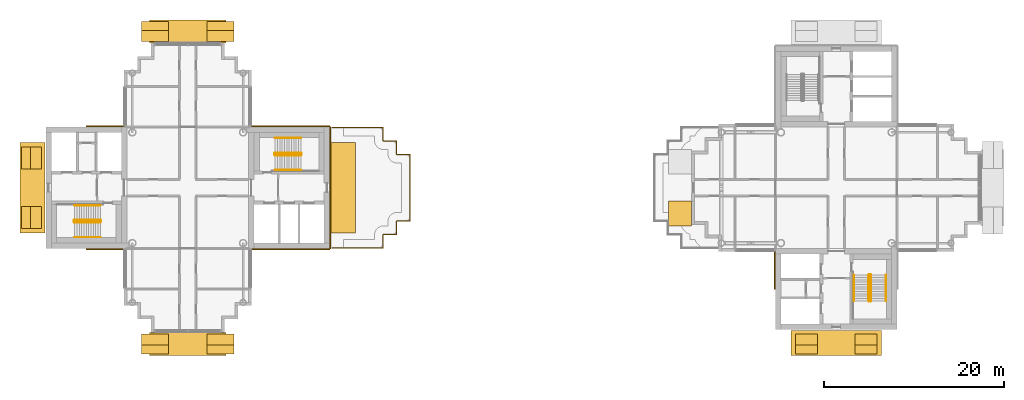
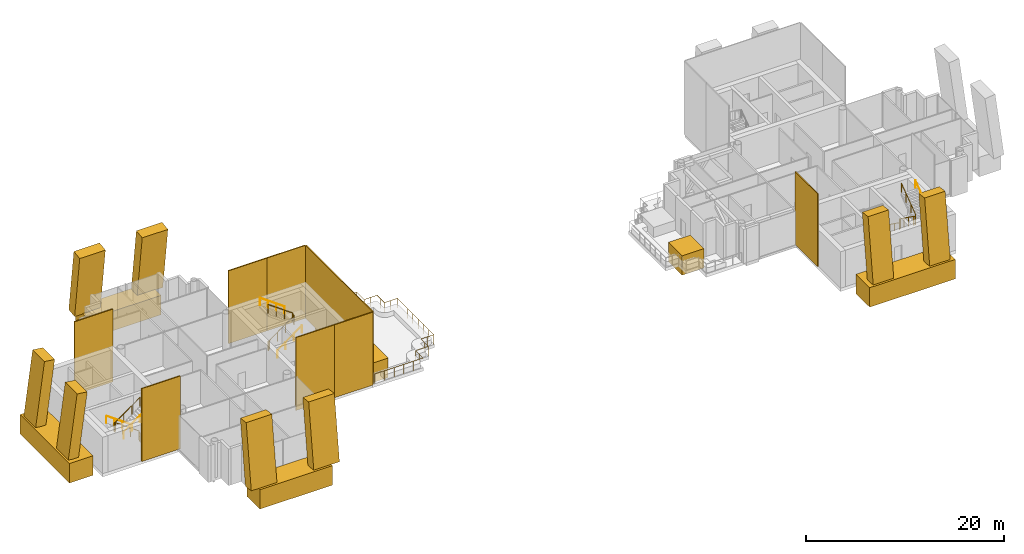
# One storey, part 15 of 16: 22 coverings, 10 railings.
"""IFC4 building model written with IfcOpenShell, lengths in metres."""

from ifc_helpers import new_model, si_unit, direction, frame, origin, origin_2d, place, context, subcontext, project, spatial, rectangle, circle, extrude, material, layer, layer_set, material_profile, profile_set, type_object, element, save


model = new_model("IFC4")

# Units and contexts
model_context = context("Model", 3, precision=1e-05, world=origin(), true_north=direction((0.0, 1.0)))
body_context = subcontext(model_context, "Body", "Model", "MODEL_VIEW")
ifc_project = project(units=[si_unit("LENGTHUNIT", "METRE"), si_unit("AREAUNIT", "SQUARE_METRE"), si_unit("VOLUMEUNIT", "CUBIC_METRE"), si_unit("PLANEANGLEUNIT", "RADIAN"), si_unit("MASSUNIT", "GRAM", prefix="KILO")], contexts=[model_context])

# Site, building, storey
site_placement = place(None, origin())
site = spatial("IfcSite", under=ifc_project, at=site_placement, CompositionType="ELEMENT")
building_placement = place(site_placement, origin())
building = spatial("IfcBuilding", under=site, at=building_placement, Name="Ipe Terrace Towers", CompositionType="ELEMENT")
storey_placement = place(building_placement, frame((0.0, 0.0, 233.39990234375)))
storey = spatial("IfcBuildingStorey", under=building, at=storey_placement, Name="L65", CompositionType="ELEMENT", Elevation=233.39990234375)

# Railing
ifc_material_1 = material(Name="Stainless steel S316", Category="steel")
railing_type_1 = type_object("IfcRailingType", Name="ROOF GUARD 1200", PredefinedType="BALUSTRADE", material=ifc_material_1)
railing_1_placement = place(storey_placement, frame((-19.929931640625, -6.699951171875, -0.02001953125)))
element("IfcRailing", 1, at=railing_1_placement, inside=storey, type_object=railing_type_1, Name="roof guard", PredefinedType="BALUSTRADE", context=body_context, shape_type="SweptSolid", body=[
    extrude(circle(Radius=0.02392578125, at=origin_2d()), frame((0.0, 0.0, 1.17578125), z_axis=(1.0, 0.0, 0.0), x_axis=(0.0, 1.0, 0.0)), (0.0, 0.0, 1.0), 5.6298828125),
    extrude(circle(Radius=0.02392578125, at=origin_2d()), frame((5.6298828125, 0.0, 1.17578125), z_axis=(0.0, 1.0, 0.0), x_axis=(-1.0, 0.0, 0.0)), (0.0, 0.0, 1.0), 1.5),
    extrude(circle(Radius=0.02392578125, at=origin_2d()), frame((5.6298828125, 1.5, 1.17578125), z_axis=(1.0, 0.0, 0.0), x_axis=(0.0, 1.0, 0.0)), (0.0, 0.0, 1.0), 1.5),
    extrude(circle(Radius=0.02392578125, at=origin_2d()), frame((7.1298828125, 1.5, 1.17578125), z_axis=(0.0, 1.0, 0.0), x_axis=(-1.0, 0.0, 0.0)), (0.0, 0.0, 1.0), 1.5),
    extrude(circle(Radius=0.02392578125, at=origin_2d()), frame((7.1298828125, 3.0, 1.17578125), z_axis=(1.0, 0.0, 0.0), x_axis=(0.0, 1.0, 0.0)), (0.0, 0.0, 1.0), 1.5),
    extrude(circle(Radius=0.02392578125, at=origin_2d()), frame((8.6298828125, 3.0, 1.17578125), z_axis=(0.0, 1.0, 0.0), x_axis=(-1.0, 0.0, 0.0)), (0.0, 0.0, 1.0), 7.39990234375),
    extrude(circle(Radius=0.02392578125, at=origin_2d()), frame((8.6298828125, 10.39990234375, 1.17578125), z_axis=(-1.0, 0.0, 0.0), x_axis=(0.0, -1.0, 0.0)), (0.0, 0.0, 1.0), 1.5),
    extrude(circle(Radius=0.02392578125, at=origin_2d()), frame((7.1298828125, 10.39990234375, 1.17578125), z_axis=(0.0, 1.0, 0.0), x_axis=(-1.0, 0.0, 0.0)), (0.0, 0.0, 1.0), 1.5),
    extrude(circle(Radius=0.02392578125, at=origin_2d()), frame((7.1298828125, 11.89990234375, 1.17578125), z_axis=(-1.0, 0.0, 0.0), x_axis=(0.0, -1.0, 0.0)), (0.0, 0.0, 1.0), 1.5),
    extrude(circle(Radius=0.02392578125, at=origin_2d()), frame((5.6298828125, 11.89990234375, 1.17578125), z_axis=(0.0, 1.0, 0.0), x_axis=(-1.0, 0.0, 0.0)), (0.0, 0.0, 1.0), 1.5),
    extrude(circle(Radius=0.02392578125, at=origin_2d()), frame((5.6298828125, 13.39990234375, 1.17578125), z_axis=(-1.0, 0.0, 0.0), x_axis=(0.0, -1.0, 0.0)), (0.0, 0.0, 1.0), 5.6298828125),
    extrude(circle(Radius=0.02099609375, at=origin_2d()), origin(), (0.0, 0.0, 1.0), 1.15185546875),
    extrude(circle(Radius=0.02099609375, at=origin_2d()), frame((1.1259765625, 0.0, 0.0)), (0.0, 0.0, 1.0), 1.15185546875),
    extrude(circle(Radius=0.02099609375, at=origin_2d()), frame((2.251953125, 0.0, 0.0)), (0.0, 0.0, 1.0), 1.15185546875),
    extrude(circle(Radius=0.02099609375, at=origin_2d()), frame((3.3779296875, 0.0, 0.0)), (0.0, 0.0, 1.0), 1.15185546875),
    extrude(circle(Radius=0.02099609375, at=origin_2d()), frame((4.50390625, 0.0, 0.0)), (0.0, 0.0, 1.0), 1.15185546875),
    extrude(circle(Radius=0.02099609375, at=origin_2d()), frame((5.6298828125, 0.0, 0.0)), (0.0, 0.0, 1.0), 1.15185546875),
    extrude(circle(Radius=0.02099609375, at=origin_2d()), frame((5.6298828125, 0.75, 0.0)), (0.0, 0.0, 1.0), 1.15185546875),
    extrude(circle(Radius=0.02099609375, at=origin_2d()), frame((5.6298828125, 1.5, 0.0)), (0.0, 0.0, 1.0), 1.15185546875),
    extrude(circle(Radius=0.02099609375, at=origin_2d()), frame((6.3798828125, 1.5, 0.0)), (0.0, 0.0, 1.0), 1.15185546875),
    extrude(circle(Radius=0.02099609375, at=origin_2d()), frame((7.1298828125, 1.5, 0.0)), (0.0, 0.0, 1.0), 1.15185546875),
    extrude(circle(Radius=0.02099609375, at=origin_2d()), frame((7.1298828125, 2.25, 0.0)), (0.0, 0.0, 1.0), 1.15185546875),
    extrude(circle(Radius=0.02099609375, at=origin_2d()), frame((7.1298828125, 3.0, 0.0)), (0.0, 0.0, 1.0), 1.15185546875),
    extrude(circle(Radius=0.02099609375, at=origin_2d()), frame((7.8798828125, 3.0, 0.0)), (0.0, 0.0, 1.0), 1.15185546875),
    extrude(circle(Radius=0.02099609375, at=origin_2d()), frame((8.6298828125, 3.0, 0.0)), (0.0, 0.0, 1.0), 1.15185546875),
    extrude(circle(Radius=0.02099609375, at=origin_2d()), frame((8.6298828125, 4.05712890625, 0.0)), (0.0, 0.0, 1.0), 1.15185546875),
    extrude(circle(Radius=0.02099609375, at=origin_2d()), frame((8.6298828125, 5.1142578125, 0.0)), (0.0, 0.0, 1.0), 1.15185546875),
    extrude(circle(Radius=0.02099609375, at=origin_2d()), frame((8.6298828125, 6.17138671875, 0.0)), (0.0, 0.0, 1.0), 1.15185546875),
    extrude(circle(Radius=0.02099609375, at=origin_2d()), frame((8.6298828125, 7.228515625, 0.0)), (0.0, 0.0, 1.0), 1.15185546875),
    extrude(circle(Radius=0.02099609375, at=origin_2d()), frame((8.6298828125, 8.28564453125, 0.0)), (0.0, 0.0, 1.0), 1.15185546875),
    extrude(circle(Radius=0.02099609375, at=origin_2d()), frame((8.6298828125, 9.3427734375, 0.0)), (0.0, 0.0, 1.0), 1.15185546875),
    extrude(circle(Radius=0.02099609375, at=origin_2d()), frame((8.6298828125, 10.39990234375, 0.0)), (0.0, 0.0, 1.0), 1.15185546875),
    extrude(circle(Radius=0.02099609375, at=origin_2d()), frame((7.8798828125, 10.39990234375, 0.0)), (0.0, 0.0, 1.0), 1.15185546875),
    extrude(circle(Radius=0.02099609375, at=origin_2d()), frame((7.1298828125, 10.39990234375, 0.0)), (0.0, 0.0, 1.0), 1.15185546875),
    extrude(circle(Radius=0.02099609375, at=origin_2d()), frame((7.1298828125, 11.14990234375, 0.0)), (0.0, 0.0, 1.0), 1.15185546875),
    extrude(circle(Radius=0.02099609375, at=origin_2d()), frame((7.1298828125, 11.89990234375, 0.0)), (0.0, 0.0, 1.0), 1.15185546875),
    extrude(circle(Radius=0.02099609375, at=origin_2d()), frame((6.3798828125, 11.89990234375, 0.0)), (0.0, 0.0, 1.0), 1.15185546875),
    extrude(circle(Radius=0.02099609375, at=origin_2d()), frame((5.6298828125, 11.89990234375, 0.0)), (0.0, 0.0, 1.0), 1.15185546875),
    extrude(circle(Radius=0.02099609375, at=origin_2d()), frame((5.6298828125, 12.64990234375, 0.0)), (0.0, 0.0, 1.0), 1.15185546875),
    extrude(circle(Radius=0.02099609375, at=origin_2d()), frame((5.6298828125, 13.39990234375, 0.0)), (0.0, 0.0, 1.0), 1.15185546875),
    extrude(circle(Radius=0.02099609375, at=origin_2d()), frame((4.50390625, 13.39990234375, 0.0)), (0.0, 0.0, 1.0), 1.15185546875),
    extrude(circle(Radius=0.02099609375, at=origin_2d()), frame((3.3779296875, 13.39990234375, 0.0)), (0.0, 0.0, 1.0), 1.15185546875),
    extrude(circle(Radius=0.02099609375, at=origin_2d()), frame((2.251953125, 13.39990234375, 0.0)), (0.0, 0.0, 1.0), 1.15185546875),
    extrude(circle(Radius=0.02099609375, at=origin_2d()), frame((1.1259765625, 13.39990234375, 0.0)), (0.0, 0.0, 1.0), 1.15185546875),
    extrude(circle(Radius=0.02099609375, at=origin_2d()), frame((0.0, 13.39990234375, 0.0)), (0.0, 0.0, 1.0), 1.15185546875),
])

# Coverings
ifc_material_2 = material(Name="Concrete C50/60 precast, buff finish", Category="concrete")
ifc_layer = layer(ifc_material_2, 0.1201171875)
ifc_layer_set = layer_set([ifc_layer], Name="STONE CORE CLADDING 120")
covering_type_1 = type_object("IfcCoveringType", Name="STONE CORE CLADDING 120", PredefinedType="CLADDING", material=ifc_layer_set)
for number, where, z_axis, x_axis, name in (
    (2, (-45.0, -6.81005859375, 0.0), (0.0, 0.0, 1.0), (1.0, 0.0, 0.0), "stone core cladding"),
    (3, (-45.0, 6.81005859375, 0.0), (0.0, 0.0, 1.0), (-1.0, 0.0, 0.0), "stone core cladding"),
    (4, (-27.0, -6.81005859375, 0.0), (0.0, 0.0, 1.0), (1.0, 0.0, 0.0), "stone core cladding"),
    (5, (-22.5, -6.81005859375, 0.0), (0.0, 0.0, 1.0), (1.0, 0.0, 0.0), "stone core cladding"),
    (6, (-27.0, 6.81005859375, 0.0), (0.0, 0.0, 1.0), (-1.0, 0.0, 0.0), "stone core cladding"),
):
    element("IfcCovering", number, at=place(storey_placement, frame(where, z_axis=z_axis, x_axis=x_axis)), inside=storey, type_object=covering_type_1, Name=name, PredefinedType="CLADDING", context=body_context, shape_type="SweptSolid", body=[
        extrude(rectangle(XDim=4.5, YDim=0.1201171875, at=origin_2d()), origin(), (0.0, 0.0, 1.0), 9.0),
    ])
covering_1_placement = place(storey_placement, frame((-20.18994140625, 0.0, 0.0), z_axis=(0.0, 0.0, 1.0), x_axis=(0.0, 1.0, 0.0)))
element("IfcCovering", 7, at=covering_1_placement, inside=storey, type_object=covering_type_1, Name="stone core cladding", PredefinedType="CLADDING", context=body_context, shape_type="SweptSolid", body=[
    extrude(rectangle(XDim=13.5, YDim=0.1201171875, at=origin_2d()), origin(), (0.0, 0.0, 1.0), 9.0),
])
for number, where, z_axis, x_axis, name in (
    (8, (-22.5, 6.81005859375, 0.0), (0.0, 0.0, 1.0), (-1.0, 0.0, 0.0), "stone core cladding"),
    (9, (29.18994140625, -9.0, 0.0), (0.0, 0.0, 1.0), (0.0, -1.0, 0.0), "stone core cladding"),
):
    element("IfcCovering", number, at=place(storey_placement, frame(where, z_axis=z_axis, x_axis=x_axis)), inside=storey, type_object=covering_type_1, Name=name, PredefinedType="CLADDING", context=body_context, shape_type="SweptSolid", body=[
        extrude(rectangle(XDim=4.5, YDim=0.1201171875, at=origin_2d()), origin(), (0.0, 0.0, 1.0), 9.0),
    ])
ifc_material_3 = material(Name="Concrete C50/60 precast, buff finish", Category="concrete")
ifc_material_profile_1 = material_profile(ifc_material_3, rectangle(XDim=2.39990234375, YDim=1.199951171875, at=origin_2d()), Name="STONE FIN 2400 x 1200")
ifc_profile_set_1 = profile_set([ifc_material_profile_1], Name="Concrete C50/60 precast, buff finish")
covering_type_2 = type_object("IfcCoveringType", Name="STONE FIN 2400 x 1200", PredefinedType="USERDEFINED", material=ifc_profile_set_1)
for number, where, z_axis, x_axis, name in (
    (10, (-53.8701171875, -3.300048828125, 1.2001953125), (0.131043676117, 0.0, 0.991376595926), (0.0, -1.0, 0.0), "stone fin"),
    (11, (-53.8701171875, 3.300048828125, 1.2001953125), (0.131043676117, 0.0, 0.991376595926), (0.0, -1.0, 0.0), "stone fin"),
    (12, (32.699951171875, -17.8701171875, 1.2001953125), (0.0, 0.131043676117, 0.991376595926), (1.0, 0.0, 0.0), "stone fin"),
    (13, (39.300048828125, -17.8701171875, 1.2001953125), (0.0, 0.131043676117, 0.991376595926), (1.0, 0.0, 0.0), "stone fin"),
):
    element("IfcCovering", number, at=place(storey_placement, frame(where, z_axis=z_axis, x_axis=x_axis)), inside=storey, type_object=covering_type_2, Name=name, ObjectType="FIN", PredefinedType="USERDEFINED", context=body_context, shape_type="SweptSolid", body=[
        extrude(rectangle(XDim=2.39990234375, YDim=1.199951171875, at=origin_2d()), origin(), (0.0, 0.0, 1.0), 7.86767578125),
    ])
ifc_material_4 = material(Name="Concrete C50/60 precast, buff finish", Category="concrete")
ifc_material_profile_2 = material_profile(ifc_material_4, rectangle(XDim=3.0, YDim=1.199951171875, at=origin_2d()), Name="STONE FIN CORNER 3000 x 1200")
ifc_profile_set_2 = profile_set([ifc_material_profile_2], Name="Concrete C50/60 precast, buff finish")
covering_type_3 = type_object("IfcCoveringType", Name="STONE FIN CORNER 3000 x 1200", PredefinedType="USERDEFINED", material=ifc_profile_set_2)
for number, where, z_axis, x_axis, name in (
    (14, (-32.35009765625, -17.8701171875, 1.2001953125), (0.0, 0.131043676117, 0.991376595926), (1.0, 0.0, 0.0), "stone fin"),
    (15, (-32.35009765625, 17.8701171875, 1.2001953125), (0.0, -0.131043676117, 0.991376595926), (-1.0, 0.0, 0.0), "stone fin"),
    (16, (-39.64990234375, -17.8701171875, 1.2001953125), (0.0, 0.131043676117, 0.991376595926), (1.0, 0.0, 0.0), "stone fin"),
    (17, (-39.64990234375, 17.8701171875, 1.2001953125), (0.0, -0.131043676117, 0.991376595926), (-1.0, 0.0, 0.0), "stone fin"),
):
    element("IfcCovering", number, at=place(storey_placement, frame(where, z_axis=z_axis, x_axis=x_axis)), inside=storey, type_object=covering_type_3, Name=name, ObjectType="FIN", PredefinedType="USERDEFINED", context=body_context, shape_type="SweptSolid", body=[
        extrude(rectangle(XDim=3.0, YDim=1.199951171875, at=origin_2d()), origin(), (0.0, 0.0, 1.0), 7.86767578125),
    ])
ifc_material_5 = material(Name="Concrete C50/60 precast, buff finish", Category="concrete")
ifc_material_profile_3 = material_profile(ifc_material_5, rectangle(XDim=2.56005859375, YDim=2.39990234375, at=origin_2d()), Name="STONE FIN SPANDREL 2560 x 2400")
ifc_profile_set_3 = profile_set([ifc_material_profile_3], Name="Concrete C50/60 precast, buff finish")
covering_type_4 = type_object("IfcCoveringType", Name="STONE FIN SPANDREL 2560 x 2400", PredefinedType="CLADDING", material=ifc_profile_set_3)
for number, where, z_axis, x_axis, name in (
    (18, (-40.25, -17.340087890625, 0.0), (1.0, 0.0, 0.0), (0.0, -1.0, 0.0), "stone fin spandrel"),
    (19, (-31.75, 17.340087890625, 0.0), (-1.0, 0.0, 0.0), (0.0, 1.0, 0.0), "stone fin spandrel"),
):
    element("IfcCovering", number, at=place(storey_placement, frame(where, z_axis=z_axis, x_axis=x_axis)), inside=storey, type_object=covering_type_4, Name=name, PredefinedType="CLADDING", context=body_context, shape_type="SweptSolid", body=[
        extrude(rectangle(XDim=2.56005859375, YDim=2.39990234375, at=origin_2d()), origin(), (0.0, 0.0, 1.0), 8.5),
    ])
covering_2_placement = place(storey_placement, frame((18.659912109375, -1.5, 0.0), z_axis=(0.0, -1.0, 0.0), x_axis=(-1.0, 0.0, 0.0)))
element("IfcCovering", 20, at=covering_2_placement, inside=storey, type_object=covering_type_4, Name="stone fin spandrel", PredefinedType="CLADDING", context=body_context, shape_type="SweptSolid", body=[
    extrude(rectangle(XDim=2.56005859375, YDim=2.39990234375, at=origin_2d()), origin(), (0.0, 0.0, 1.0), 2.75),
])
ifc_material_6 = material(Name="Concrete C50/60 precast, buff finish", Category="concrete")
ifc_material_profile_4 = material_profile(ifc_material_6, rectangle(XDim=2.760009765625, YDim=2.39990234375, at=origin_2d()), Name="STONE FIN SPANDREL 2760 x 2400")
ifc_profile_set_4 = profile_set([ifc_material_profile_4], Name="Concrete C50/60 precast, buff finish")
covering_type_5 = type_object("IfcCoveringType", Name="STONE FIN SPANDREL 2760 x 2400", PredefinedType="CLADDING", material=ifc_profile_set_4)
for number, where, z_axis, x_axis, name in (
    (21, (-18.760009765625, -5.0, 0.0), (0.0, 1.0, 0.0), (1.0, 0.0, 0.0), "stone fin spandrel"),
    (22, (-53.239990234375, 5.0, 0.0), (0.0, -1.0, 0.0), (-1.0, 0.0, 0.0), "stone fin spandrel"),
    (23, (31.0, -17.239990234375, 0.0), (1.0, 0.0, 0.0), (0.0, -1.0, 0.0), "stone fin spandrel"),
):
    element("IfcCovering", number, at=place(storey_placement, frame(where, z_axis=z_axis, x_axis=x_axis)), inside=storey, type_object=covering_type_5, Name=name, PredefinedType="CLADDING", context=body_context, shape_type="SweptSolid", body=[
        extrude(rectangle(XDim=2.760009765625, YDim=2.39990234375, at=origin_2d()), origin(), (0.0, 0.0, 1.0), 10.0),
    ])

# Railings
ifc_material_7 = material(Name="Steel S355", Category="steel")
railing_type_2 = type_object("IfcRailingType", Name="Stair guard 1100", PredefinedType="GUARDRAIL", material=ifc_material_7)
railing_2_placement = place(storey_placement, frame((-26.35009765625, 3.800048828125, 0.0)))
element("IfcRailing", 24, at=railing_2_placement, inside=storey, type_object=railing_type_2, Name="L65 T1-ST1 stair guard 1", PredefinedType="GUARDRAIL", context=body_context, shape_type="SweptSolid", body=[
    extrude(circle(Radius=0.02392578125, at=origin_2d()), frame((0.0, 0.0, 1.076171875), z_axis=(0.0, -1.0, 0.0), x_axis=(1.0, 0.0, 0.0)), (0.0, 0.0, 1.0), 0.150146484375),
    extrude(circle(Radius=0.02392578125, at=origin_2d()), frame((0.0, -0.150146484375, 1.076171875), z_axis=(0.249802250048, -0.248583702486, 0.935844527007), x_axis=(0.705375805398, 0.708833529934, 0.0)), (0.0, 0.0, 1.0), 0.200439453125),
    extrude(circle(Radius=0.02392578125, at=origin_2d()), frame((0.050048828125, -0.199951171875, 1.263671875), z_axis=(0.811100754333, 0.0, 0.584906459462), x_axis=(0.0, 1.0, 0.0)), (0.0, 0.0, 1.0), 3.526123046875),
    extrude(circle(Radius=0.02392578125, at=origin_2d()), frame((2.91015625, -0.199951171875, 3.326171875), z_axis=(0.708833529934, 0.705375805398, 0.0), x_axis=(-0.705375805398, 0.708833529934, 0.0)), (0.0, 0.0, 1.0), 0.070556640625),
    extrude(circle(Radius=0.02392578125, at=origin_2d()), frame((2.960205078125, -0.150146484375, 3.326171875), z_axis=(0.0, 1.0, 0.0), x_axis=(-1.0, 0.0, 0.0)), (0.0, 0.0, 1.0), 0.150146484375),
    extrude(circle(Radius=0.02392578125, at=origin_2d()), frame((2.960205078125, 0.0, 3.326171875), z_axis=(-0.249726431254, 0.249726431254, 0.935560483917), x_axis=(-0.707106781187, -0.707106781187, 0.0)), (0.0, 0.0, 1.0), 0.200439453125),
    extrude(circle(Radius=0.02392578125, at=origin_2d()), frame((2.91015625, 0.050048828125, 3.513671875), z_axis=(-0.811100754333, 0.0, 0.584906459462), x_axis=(0.0, -1.0, 0.0)), (0.0, 0.0, 1.0), 3.526123046875),
    extrude(circle(Radius=0.02099609375, at=origin_2d()), origin(), (0.0, 0.0, 1.0), 1.052001953125),
    extrude(circle(Radius=0.02099609375, at=origin_2d()), frame((0.0, -0.150146484375, 0.0)), (0.0, 0.0, 1.0), 1.052001953125),
    extrude(circle(Radius=0.02099609375, at=origin_2d()), frame((0.050048828125, -0.199951171875, 0.1875)), (0.0, 0.0, 1.0), 1.052001953125),
    extrude(circle(Radius=0.02099609375, at=origin_2d()), frame((1.00341796875, -0.199951171875, 0.875)), (0.0, 0.0, 1.0), 1.052001953125),
    extrude(circle(Radius=0.02099609375, at=origin_2d()), frame((1.956787109375, -0.199951171875, 1.5625)), (0.0, 0.0, 1.0), 1.052001953125),
    extrude(circle(Radius=0.02099609375, at=origin_2d()), frame((2.91015625, -0.199951171875, 2.25)), (0.0, 0.0, 1.0), 1.052001953125),
    extrude(circle(Radius=0.02099609375, at=origin_2d()), frame((2.960205078125, -0.150146484375, 2.25)), (0.0, 0.0, 1.0), 1.052001953125),
    extrude(circle(Radius=0.02099609375, at=origin_2d()), frame((2.960205078125, 0.0, 2.25)), (0.0, 0.0, 1.0), 1.052001953125),
    extrude(circle(Radius=0.02099609375, at=origin_2d()), frame((2.91015625, 0.050048828125, 2.4375)), (0.0, 0.0, 1.0), 1.052001953125),
    extrude(circle(Radius=0.02099609375, at=origin_2d()), frame((1.956787109375, 0.050048828125, 3.125)), (0.0, 0.0, 1.0), 1.052001953125),
    extrude(circle(Radius=0.02099609375, at=origin_2d()), frame((1.00341796875, 0.050048828125, 3.8125)), (0.0, 0.0, 1.0), 1.052001953125),
    extrude(circle(Radius=0.02099609375, at=origin_2d()), frame((0.050048828125, 0.050048828125, 4.5)), (0.0, 0.0, 1.0), 1.052001953125),
])
railing_3_placement = place(storey_placement, frame((-45.64990234375, -3.800048828125, 0.0)))
element("IfcRailing", 25, at=railing_3_placement, inside=storey, type_object=railing_type_2, Name="L65 T1-ST2 stair guard 1", PredefinedType="GUARDRAIL", context=body_context, shape_type="SweptSolid", body=[
    extrude(circle(Radius=0.02392578125, at=origin_2d()), frame((0.0, 0.0, 1.076171875), z_axis=(0.0, 1.0, 0.0), x_axis=(-1.0, 0.0, 0.0)), (0.0, 0.0, 1.0), 0.150146484375),
    extrude(circle(Radius=0.02392578125, at=origin_2d()), frame((0.0, 0.150146484375, 1.076171875), z_axis=(-0.249802250048, 0.248583702486, 0.935844527007), x_axis=(-0.705375805398, -0.708833529934, 0.0)), (0.0, 0.0, 1.0), 0.200439453125),
    extrude(circle(Radius=0.02392578125, at=origin_2d()), frame((-0.050048828125, 0.199951171875, 1.263671875), z_axis=(-0.811100754333, 0.0, 0.584906459462), x_axis=(0.0, -1.0, 0.0)), (0.0, 0.0, 1.0), 3.526123046875),
    extrude(circle(Radius=0.02392578125, at=origin_2d()), frame((-2.91015625, 0.199951171875, 3.326171875), z_axis=(-0.708833529934, -0.705375805398, 0.0), x_axis=(0.705375805398, -0.708833529934, 0.0)), (0.0, 0.0, 1.0), 0.070556640625),
    extrude(circle(Radius=0.02392578125, at=origin_2d()), frame((-2.960205078125, 0.150146484375, 3.326171875), z_axis=(0.0, -1.0, 0.0), x_axis=(1.0, 0.0, 0.0)), (0.0, 0.0, 1.0), 0.150146484375),
    extrude(circle(Radius=0.02392578125, at=origin_2d()), frame((-2.960205078125, 0.0, 3.326171875), z_axis=(0.249726431254, -0.249726431254, 0.935560483917), x_axis=(0.707106781187, 0.707106781187, 0.0)), (0.0, 0.0, 1.0), 0.200439453125),
    extrude(circle(Radius=0.02392578125, at=origin_2d()), frame((-2.91015625, -0.050048828125, 3.513671875), z_axis=(0.811100754333, 0.0, 0.584906459462), x_axis=(0.0, 1.0, 0.0)), (0.0, 0.0, 1.0), 3.526123046875),
    extrude(circle(Radius=0.02099609375, at=origin_2d()), origin(), (0.0, 0.0, 1.0), 1.052001953125),
    extrude(circle(Radius=0.02099609375, at=origin_2d()), frame((0.0, 0.150146484375, 0.0)), (0.0, 0.0, 1.0), 1.052001953125),
    extrude(circle(Radius=0.02099609375, at=origin_2d()), frame((-0.050048828125, 0.199951171875, 0.1875)), (0.0, 0.0, 1.0), 1.052001953125),
    extrude(circle(Radius=0.02099609375, at=origin_2d()), frame((-1.00341796875, 0.199951171875, 0.875)), (0.0, 0.0, 1.0), 1.052001953125),
    extrude(circle(Radius=0.02099609375, at=origin_2d()), frame((-1.956787109375, 0.199951171875, 1.5625)), (0.0, 0.0, 1.0), 1.052001953125),
    extrude(circle(Radius=0.02099609375, at=origin_2d()), frame((-2.91015625, 0.199951171875, 2.25)), (0.0, 0.0, 1.0), 1.052001953125),
    extrude(circle(Radius=0.02099609375, at=origin_2d()), frame((-2.960205078125, 0.150146484375, 2.25)), (0.0, 0.0, 1.0), 1.052001953125),
    extrude(circle(Radius=0.02099609375, at=origin_2d()), frame((-2.960205078125, 0.0, 2.25)), (0.0, 0.0, 1.0), 1.052001953125),
    extrude(circle(Radius=0.02099609375, at=origin_2d()), frame((-2.91015625, -0.050048828125, 2.4375)), (0.0, 0.0, 1.0), 1.052001953125),
    extrude(circle(Radius=0.02099609375, at=origin_2d()), frame((-1.956787109375, -0.050048828125, 3.125)), (0.0, 0.0, 1.0), 1.052001953125),
    extrude(circle(Radius=0.02099609375, at=origin_2d()), frame((-1.00341796875, -0.050048828125, 3.8125)), (0.0, 0.0, 1.0), 1.052001953125),
    extrude(circle(Radius=0.02099609375, at=origin_2d()), frame((-0.050048828125, -0.050048828125, 4.5)), (0.0, 0.0, 1.0), 1.052001953125),
])
railing_4_placement = place(storey_placement, frame((39.800048828125, -9.64990234375, 0.0)))
element("IfcRailing", 26, at=railing_4_placement, inside=storey, type_object=railing_type_2, Name="L65 T2-ST2 stair guard 1", PredefinedType="GUARDRAIL", context=body_context, shape_type="SweptSolid", body=[
    extrude(circle(Radius=0.02392578125, at=origin_2d()), frame((0.0, 0.0, 1.076171875), z_axis=(-1.0, 0.0, 0.0), x_axis=(0.0, -1.0, 0.0)), (0.0, 0.0, 1.0), 0.150146484375),
    extrude(circle(Radius=0.02392578125, at=origin_2d()), frame((-0.150146484375, 0.0, 1.076171875), z_axis=(-0.248583702486, -0.249802250048, 0.935844527007), x_axis=(0.708833529934, -0.705375805398, 0.0)), (0.0, 0.0, 1.0), 0.200439453125),
    extrude(circle(Radius=0.02392578125, at=origin_2d()), frame((-0.199951171875, -0.050048828125, 1.263671875), z_axis=(0.0, -0.811100754333, 0.584906459462), x_axis=(1.0, 0.0, 0.0)), (0.0, 0.0, 1.0), 3.526123046875),
    extrude(circle(Radius=0.02392578125, at=origin_2d()), frame((-0.199951171875, -2.91015625, 3.326171875), z_axis=(0.705375805398, -0.708833529934, 0.0), x_axis=(0.708833529934, 0.705375805398, 0.0)), (0.0, 0.0, 1.0), 0.070556640625),
    extrude(circle(Radius=0.02392578125, at=origin_2d()), frame((-0.150146484375, -2.960205078125, 3.326171875), z_axis=(1.0, 0.0, 0.0), x_axis=(0.0, 1.0, 0.0)), (0.0, 0.0, 1.0), 0.150146484375),
    extrude(circle(Radius=0.02392578125, at=origin_2d()), frame((0.0, -2.960205078125, 3.326171875), z_axis=(0.249726431254, 0.249726431254, 0.935560483917), x_axis=(-0.707106781187, 0.707106781187, 0.0)), (0.0, 0.0, 1.0), 0.200439453125),
    extrude(circle(Radius=0.02392578125, at=origin_2d()), frame((0.050048828125, -2.91015625, 3.513671875), z_axis=(0.0, 0.811100754333, 0.584906459462), x_axis=(-1.0, 0.0, 0.0)), (0.0, 0.0, 1.0), 3.526123046875),
    extrude(circle(Radius=0.02099609375, at=origin_2d()), origin(), (0.0, 0.0, 1.0), 1.052001953125),
    extrude(circle(Radius=0.02099609375, at=origin_2d()), frame((-0.150146484375, 0.0, 0.0)), (0.0, 0.0, 1.0), 1.052001953125),
    extrude(circle(Radius=0.02099609375, at=origin_2d()), frame((-0.199951171875, -0.050048828125, 0.1875)), (0.0, 0.0, 1.0), 1.052001953125),
    extrude(circle(Radius=0.02099609375, at=origin_2d()), frame((-0.199951171875, -1.00341796875, 0.875)), (0.0, 0.0, 1.0), 1.052001953125),
    extrude(circle(Radius=0.02099609375, at=origin_2d()), frame((-0.199951171875, -1.956787109375, 1.5625)), (0.0, 0.0, 1.0), 1.052001953125),
    extrude(circle(Radius=0.02099609375, at=origin_2d()), frame((-0.199951171875, -2.91015625, 2.25)), (0.0, 0.0, 1.0), 1.052001953125),
    extrude(circle(Radius=0.02099609375, at=origin_2d()), frame((-0.150146484375, -2.960205078125, 2.25)), (0.0, 0.0, 1.0), 1.052001953125),
    extrude(circle(Radius=0.02099609375, at=origin_2d()), frame((0.0, -2.960205078125, 2.25)), (0.0, 0.0, 1.0), 1.052001953125),
    extrude(circle(Radius=0.02099609375, at=origin_2d()), frame((0.050048828125, -2.91015625, 2.4375)), (0.0, 0.0, 1.0), 1.052001953125),
    extrude(circle(Radius=0.02099609375, at=origin_2d()), frame((0.050048828125, -1.956787109375, 3.125)), (0.0, 0.0, 1.0), 1.052001953125),
    extrude(circle(Radius=0.02099609375, at=origin_2d()), frame((0.050048828125, -1.00341796875, 3.8125)), (0.0, 0.0, 1.0), 1.052001953125),
    extrude(circle(Radius=0.02099609375, at=origin_2d()), frame((0.050048828125, -0.050048828125, 4.5)), (0.0, 0.0, 1.0), 1.052001953125),
])
ifc_material_8 = material(Name="Stainless steel grade 304", Category="steel")
railing_type_3 = type_object("IfcRailingType", Name="Stair handrail 900", PredefinedType="HANDRAIL", material=ifc_material_8)
railing_5_placement = place(storey_placement, frame((-26.300048828125, 1.949951171875, 0.1875)))
element("IfcRailing", 27, at=railing_5_placement, inside=storey, type_object=railing_type_3, Name="L65 T1-ST1 stair handrail 1", PredefinedType="HANDRAIL", context=body_context, shape_type="SweptSolid", body=[
    extrude(circle(Radius=0.02392578125, at=origin_2d()), frame((0.0, 0.0, 0.8759765625), z_axis=(0.811100754333, 0.0, 0.584906459462), x_axis=(0.0, 1.0, 0.0)), (0.0, 0.0, 1.0), 3.526123046875),
    extrude(circle(Radius=0.02099609375, at=origin_2d()), origin(), (0.0, 0.0, 1.0), 0.851806640625),
    extrude(circle(Radius=0.02099609375, at=origin_2d()), frame((0.953369140625, 0.0, 0.6875)), (0.0, 0.0, 1.0), 0.851806640625),
    extrude(circle(Radius=0.02099609375, at=origin_2d()), frame((1.90673828125, 0.0, 1.375)), (0.0, 0.0, 1.0), 0.851806640625),
    extrude(circle(Radius=0.02099609375, at=origin_2d()), frame((2.860107421875, 0.0, 2.0625)), (0.0, 0.0, 1.0), 0.851806640625),
])
for number, where, name in (
    (28, (-23.43994140625, 5.5, 2.4375), "L65 T1-ST1 stair handrail 2"),
    (29, (-45.699951171875, -1.949951171875, 0.1875), "L65 T1-ST2 stair handrail 1"),
):
    element("IfcRailing", number, at=place(storey_placement, frame(where)), inside=storey, type_object=railing_type_3, Name=name, PredefinedType="HANDRAIL", context=body_context, shape_type="SweptSolid", body=[
        extrude(circle(Radius=0.02392578125, at=origin_2d()), frame((0.0, 0.0, 0.8759765625), z_axis=(-0.811100754333, 0.0, 0.584906459462), x_axis=(0.0, -1.0, 0.0)), (0.0, 0.0, 1.0), 3.526123046875),
        extrude(circle(Radius=0.02099609375, at=origin_2d()), origin(), (0.0, 0.0, 1.0), 0.851806640625),
        extrude(circle(Radius=0.02099609375, at=origin_2d()), frame((-0.953369140625, 0.0, 0.6875)), (0.0, 0.0, 1.0), 0.851806640625),
        extrude(circle(Radius=0.02099609375, at=origin_2d()), frame((-1.90673828125, 0.0, 1.375)), (0.0, 0.0, 1.0), 0.851806640625),
        extrude(circle(Radius=0.02099609375, at=origin_2d()), frame((-2.860107421875, 0.0, 2.0625)), (0.0, 0.0, 1.0), 0.851806640625),
    ])
railing_6_placement = place(storey_placement, frame((-48.56005859375, -5.5, 2.4375)))
element("IfcRailing", 30, at=railing_6_placement, inside=storey, type_object=railing_type_3, Name="L65 T1-ST2 stair handrail 2", PredefinedType="HANDRAIL", context=body_context, shape_type="SweptSolid", body=[
    extrude(circle(Radius=0.02392578125, at=origin_2d()), frame((0.0, 0.0, 0.8759765625), z_axis=(0.811100754333, 0.0, 0.584906459462), x_axis=(0.0, 1.0, 0.0)), (0.0, 0.0, 1.0), 3.526123046875),
    extrude(circle(Radius=0.02099609375, at=origin_2d()), origin(), (0.0, 0.0, 1.0), 0.851806640625),
    extrude(circle(Radius=0.02099609375, at=origin_2d()), frame((0.953369140625, 0.0, 0.6875)), (0.0, 0.0, 1.0), 0.851806640625),
    extrude(circle(Radius=0.02099609375, at=origin_2d()), frame((1.90673828125, 0.0, 1.375)), (0.0, 0.0, 1.0), 0.851806640625),
    extrude(circle(Radius=0.02099609375, at=origin_2d()), frame((2.860107421875, 0.0, 2.0625)), (0.0, 0.0, 1.0), 0.851806640625),
])
railing_7_placement = place(storey_placement, frame((37.949951171875, -9.699951171875, 0.1875)))
element("IfcRailing", 31, at=railing_7_placement, inside=storey, type_object=railing_type_3, Name="L65 T2-ST2 stair handrail 1", PredefinedType="HANDRAIL", context=body_context, shape_type="SweptSolid", body=[
    extrude(circle(Radius=0.02392578125, at=origin_2d()), frame((0.0, 0.0, 0.8759765625), z_axis=(0.0, -0.811100754333, 0.584906459462), x_axis=(1.0, 0.0, 0.0)), (0.0, 0.0, 1.0), 3.526123046875),
    extrude(circle(Radius=0.02099609375, at=origin_2d()), origin(), (0.0, 0.0, 1.0), 0.851806640625),
    extrude(circle(Radius=0.02099609375, at=origin_2d()), frame((0.0, -0.953369140625, 0.6875)), (0.0, 0.0, 1.0), 0.851806640625),
    extrude(circle(Radius=0.02099609375, at=origin_2d()), frame((0.0, -1.90673828125, 1.375)), (0.0, 0.0, 1.0), 0.851806640625),
    extrude(circle(Radius=0.02099609375, at=origin_2d()), frame((0.0, -2.860107421875, 2.0625)), (0.0, 0.0, 1.0), 0.851806640625),
])
railing_8_placement = place(storey_placement, frame((41.5, -12.56005859375, 2.4375)))
element("IfcRailing", 32, at=railing_8_placement, inside=storey, type_object=railing_type_3, Name="L65 T2-ST2 stair handrail 2", PredefinedType="HANDRAIL", context=body_context, shape_type="SweptSolid", body=[
    extrude(circle(Radius=0.02392578125, at=origin_2d()), frame((0.0, 0.0, 0.8759765625), z_axis=(0.0, 0.811100754333, 0.584906459462), x_axis=(-1.0, 0.0, 0.0)), (0.0, 0.0, 1.0), 3.526123046875),
    extrude(circle(Radius=0.02099609375, at=origin_2d()), origin(), (0.0, 0.0, 1.0), 0.851806640625),
    extrude(circle(Radius=0.02099609375, at=origin_2d()), frame((0.0, 0.953369140625, 0.6875)), (0.0, 0.0, 1.0), 0.851806640625),
    extrude(circle(Radius=0.02099609375, at=origin_2d()), frame((0.0, 1.90673828125, 1.375)), (0.0, 0.0, 1.0), 0.851806640625),
    extrude(circle(Radius=0.02099609375, at=origin_2d()), frame((0.0, 2.860107421875, 2.0625)), (0.0, 0.0, 1.0), 0.851806640625),
])

save(model, "model.ifc")
